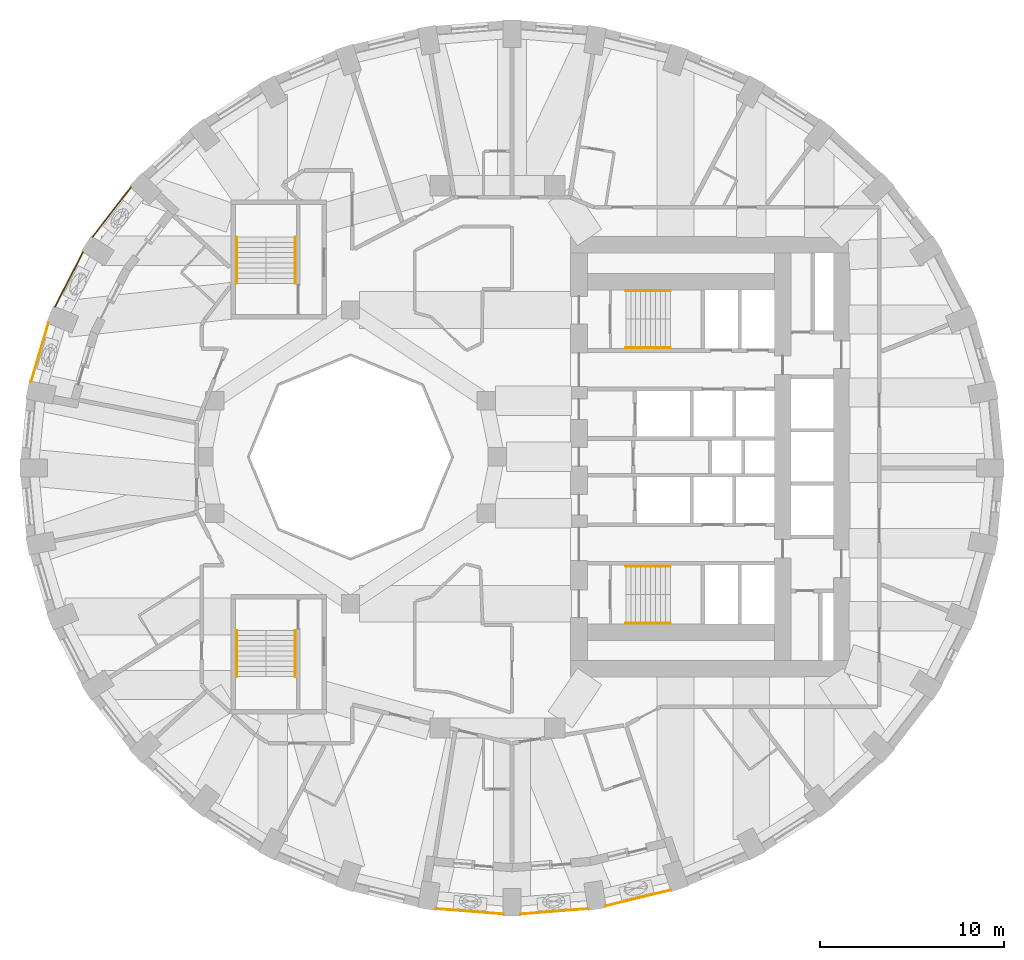
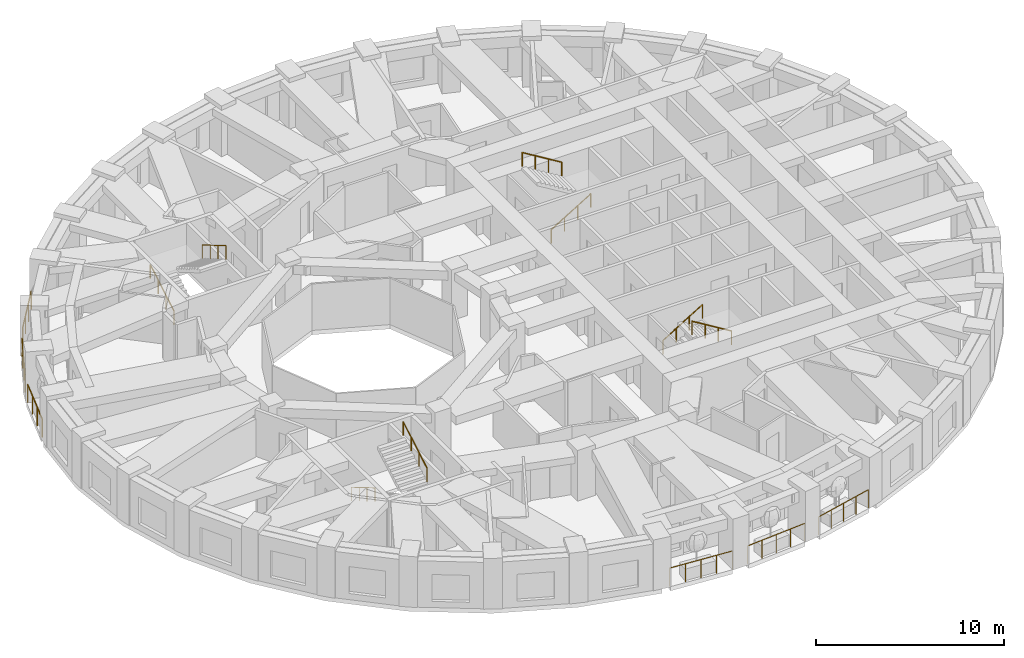
# One storey, part 11 of 13: 14 railings.
"""IFC4 building model written with IfcOpenShell, lengths in metres."""

from ifc_helpers import new_model, si_unit, direction, frame, origin, origin_2d, place, context, subcontext, project, spatial, circle, extrude, material, type_object, element, save


model = new_model("IFC4")

# Units and contexts
model_context = context("Model", 3, precision=1e-05, world=origin(), true_north=direction((0.0, 1.0)))
body_context = subcontext(model_context, "Body", "Model", "MODEL_VIEW")
ifc_project = project(units=[si_unit("LENGTHUNIT", "METRE"), si_unit("AREAUNIT", "SQUARE_METRE"), si_unit("VOLUMEUNIT", "CUBIC_METRE"), si_unit("PLANEANGLEUNIT", "RADIAN"), si_unit("MASSUNIT", "GRAM", prefix="KILO")], contexts=[model_context])

# Site, building, storey
site_placement = place(None, origin())
site = spatial("IfcSite", under=ifc_project, at=site_placement, CompositionType="ELEMENT")
building_placement = place(site_placement, origin())
building = spatial("IfcBuilding", under=site, at=building_placement, Name="Taillehof Tower", CompositionType="ELEMENT")
storey_placement = place(building_placement, frame((0.0, 0.0, 115.300048828125)))
storey = spatial("IfcBuildingStorey", under=building, at=storey_placement, Name="L32", CompositionType="ELEMENT", Elevation=115.300048828125)

# Railings
ifc_material_1 = material(Name="Stainless steel balustrade", Category="steel")
railing_type_1 = type_object("IfcRailingType", Name="Balcony guard 1200", PredefinedType="GUARDRAIL", material=ifc_material_1)
railing_1_placement = place(storey_placement, frame((-19.95703125, 14.687744140625, 0.0)))
element("IfcRailing", 1, at=railing_1_placement, inside=storey, type_object=railing_type_1, Name="Balcony guard L32 bay 15", PredefinedType="GUARDRAIL", context=body_context, shape_type="SweptSolid", body=[
    extrude(circle(Radius=0.02392578125, at=origin_2d()), frame((0.0, 0.0, 1.17578125), z_axis=(-0.6106578582, -0.791894551199, 0.0), x_axis=(0.791894551199, -0.6106578582, 0.0)), (0.0, 0.0, 1.0), 3.42431640625),
    extrude(circle(Radius=0.02099609375, at=origin_2d()), origin(), (0.0, 0.0, 1.0), 1.15185546875),
    extrude(circle(Radius=0.02099609375, at=origin_2d()), frame((-0.697021484375, -0.90380859375, 0.0)), (0.0, 0.0, 1.0), 1.15185546875),
    extrude(circle(Radius=0.02099609375, at=origin_2d()), frame((-1.39404296875, -1.807861328125, 0.0)), (0.0, 0.0, 1.0), 1.15185546875),
    extrude(circle(Radius=0.02099609375, at=origin_2d()), frame((-2.091064453125, -2.711669921875, 0.0)), (0.0, 0.0, 1.0), 1.15185546875),
])
railing_2_placement = place(storey_placement, frame((-22.562744140625, 11.16552734375, 0.0)))
element("IfcRailing", 2, at=railing_2_placement, inside=storey, type_object=railing_type_1, Name="Balcony guard L32 bay 16", PredefinedType="GUARDRAIL", context=body_context, shape_type="SweptSolid", body=[
    extrude(circle(Radius=0.02392578125, at=origin_2d()), frame((0.0, 0.0, 1.17578125), z_axis=(-0.456827973353, -0.88955505887, 0.0), x_axis=(0.88955505887, -0.456827973353, 0.0)), (0.0, 0.0, 1.0), 3.363037109375),
    extrude(circle(Radius=0.02099609375, at=origin_2d()), origin(), (0.0, 0.0, 1.0), 1.15185546875),
    extrude(circle(Radius=0.02099609375, at=origin_2d()), frame((-0.51220703125, -0.997314453125, 0.0)), (0.0, 0.0, 1.0), 1.15185546875),
    extrude(circle(Radius=0.02099609375, at=origin_2d()), frame((-1.024169921875, -1.994384765625, 0.0)), (0.0, 0.0, 1.0), 1.15185546875),
    extrude(circle(Radius=0.02099609375, at=origin_2d()), frame((-1.536376953125, -2.99169921875, 0.0)), (0.0, 0.0, 1.0), 1.15185546875),
])
railing_3_placement = place(storey_placement, frame((-24.455810546875, 7.2822265625, 0.0)))
element("IfcRailing", 3, at=railing_3_placement, inside=storey, type_object=railing_type_1, Name="Balcony guard L32 bay 17", PredefinedType="GUARDRAIL", context=body_context, shape_type="SweptSolid", body=[
    extrude(circle(Radius=0.02392578125, at=origin_2d()), frame((0.0, 0.0, 1.17578125), z_axis=(-0.283050764058, -0.95910492907, 0.0), x_axis=(0.95910492907, -0.283050764058, 0.0)), (0.0, 0.0, 1.0), 3.3173828125),
    extrude(circle(Radius=0.02099609375, at=origin_2d()), origin(), (0.0, 0.0, 1.0), 1.15185546875),
    extrude(circle(Radius=0.02099609375, at=origin_2d()), frame((-0.31298828125, -1.060546875, 0.0)), (0.0, 0.0, 1.0), 1.15185546875),
    extrude(circle(Radius=0.02099609375, at=origin_2d()), frame((-0.6259765625, -2.12109375, 0.0)), (0.0, 0.0, 1.0), 1.15185546875),
    extrude(circle(Radius=0.02099609375, at=origin_2d()), frame((-0.93896484375, -3.181640625, 0.0)), (0.0, 0.0, 1.0), 1.15185546875),
])
railing_4_placement = place(storey_placement, frame((-3.352783203125, -24.60986328125, 0.0)))
element("IfcRailing", 4, at=railing_4_placement, inside=storey, type_object=railing_type_1, Name="Balcony guard L32 bay 27", PredefinedType="GUARDRAIL", context=body_context, shape_type="SweptSolid", body=[
    extrude(circle(Radius=0.02392578125, at=origin_2d()), frame((0.0, 0.0, 1.17578125), z_axis=(0.996859582788, -0.079189470281, 0.0), x_axis=(0.079189470281, 0.996859582788, 0.0)), (0.0, 0.0, 1.0), 3.68408203125),
    extrude(circle(Radius=0.02099609375, at=origin_2d()), origin(), (0.0, 0.0, 1.0), 1.15185546875),
    extrude(circle(Radius=0.02099609375, at=origin_2d()), frame((0.918212890625, -0.072998046875, 0.0)), (0.0, 0.0, 1.0), 1.15185546875),
    extrude(circle(Radius=0.02099609375, at=origin_2d()), frame((1.83642578125, -0.14599609375, 0.0)), (0.0, 0.0, 1.0), 1.15185546875),
    extrude(circle(Radius=0.02099609375, at=origin_2d()), frame((2.75439453125, -0.21875, 0.0)), (0.0, 0.0, 1.0), 1.15185546875),
    extrude(circle(Radius=0.02099609375, at=origin_2d()), frame((3.672607421875, -0.291748046875, 0.0)), (0.0, 0.0, 1.0), 1.15185546875),
])
railing_5_placement = place(storey_placement, frame((1.280029296875, -24.901611328125, 0.0)))
element("IfcRailing", 5, at=railing_5_placement, inside=storey, type_object=railing_type_1, Name="Balcony guard L32 bay 28", PredefinedType="GUARDRAIL", context=body_context, shape_type="SweptSolid", body=[
    extrude(circle(Radius=0.02392578125, at=origin_2d()), frame((0.0, 0.0, 1.17578125), z_axis=(0.996859998308, 0.07918423943, 0.0), x_axis=(-0.07918423943, 0.996859998308, 0.0)), (0.0, 0.0, 1.0), 3.684326171875),
    extrude(circle(Radius=0.02099609375, at=origin_2d()), origin(), (0.0, 0.0, 1.0), 1.15185546875),
    extrude(circle(Radius=0.02099609375, at=origin_2d()), frame((0.918212890625, 0.072998046875, 0.0)), (0.0, 0.0, 1.0), 1.15185546875),
    extrude(circle(Radius=0.02099609375, at=origin_2d()), frame((1.83642578125, 0.14599609375, 0.0)), (0.0, 0.0, 1.0), 1.15185546875),
    extrude(circle(Radius=0.02099609375, at=origin_2d()), frame((2.754638671875, 0.21875, 0.0)), (0.0, 0.0, 1.0), 1.15185546875),
    extrude(circle(Radius=0.02099609375, at=origin_2d()), frame((3.6728515625, 0.291748046875, 0.0)), (0.0, 0.0, 1.0), 1.15185546875),
])
railing_6_placement = place(storey_placement, frame((5.90087890625, -24.4580078125, 0.0)))
element("IfcRailing", 6, at=railing_6_placement, inside=storey, type_object=railing_type_1, Name="Balcony guard L32 bay 29", PredefinedType="GUARDRAIL", context=body_context, shape_type="SweptSolid", body=[
    extrude(circle(Radius=0.02392578125, at=origin_2d()), frame((0.0, 0.0, 1.17578125), z_axis=(0.971645249883, 0.236443457047, 0.0), x_axis=(-0.236443457047, 0.971645249883, 0.0)), (0.0, 0.0, 1.0), 3.661376953125),
    extrude(circle(Radius=0.02099609375, at=origin_2d()), origin(), (0.0, 0.0, 1.0), 1.15185546875),
    extrude(circle(Radius=0.02099609375, at=origin_2d()), frame((0.889404296875, 0.21630859375, 0.0)), (0.0, 0.0, 1.0), 1.15185546875),
    extrude(circle(Radius=0.02099609375, at=origin_2d()), frame((1.77880859375, 0.432861328125, 0.0)), (0.0, 0.0, 1.0), 1.15185546875),
    extrude(circle(Radius=0.02099609375, at=origin_2d()), frame((2.668212890625, 0.6494140625, 0.0)), (0.0, 0.0, 1.0), 1.15185546875),
    extrude(circle(Radius=0.02099609375, at=origin_2d()), frame((3.5576171875, 0.86572265625, 0.0)), (0.0, 0.0, 1.0), 1.15185546875),
])
ifc_material_2 = material(Name="Stainless steel", Category="steel")
railing_type_2 = type_object("IfcRailingType", Name="Stair handrail 900", PredefinedType="HANDRAIL", material=ifc_material_2)
railing_7_placement = place(storey_placement, frame((7.0, 5.949951171875, 0.1650390625)))
element("IfcRailing", 7, at=railing_7_placement, inside=storey, type_object=railing_type_2, Name="Stair S1 handrail", PredefinedType="HANDRAIL", context=body_context, shape_type="SweptSolid", body=[
    extrude(circle(Radius=0.02392578125, at=origin_2d()), frame((0.0, 0.0, 0.8759765625), z_axis=(0.853296667938, 0.0, 0.521425734392), x_axis=(0.0, 1.0, 0.0)), (0.0, 0.0, 1.0), 2.84765625),
    extrude(circle(Radius=0.02099609375, at=origin_2d()), origin(), (0.0, 0.0, 1.0), 0.851806640625),
    extrude(circle(Radius=0.02099609375, at=origin_2d()), frame((0.81005859375, 0.0, 0.494873046875)), (0.0, 0.0, 1.0), 0.851806640625),
    extrude(circle(Radius=0.02099609375, at=origin_2d()), frame((1.619873046875, 0.0, 0.989990234375)), (0.0, 0.0, 1.0), 0.851806640625),
    extrude(circle(Radius=0.02099609375, at=origin_2d()), frame((2.429931640625, 0.0, 1.48486328125)), (0.0, 0.0, 1.0), 0.851806640625),
])
railing_8_placement = place(storey_placement, frame((9.429931640625, 9.050048828125, 1.81494140625)))
element("IfcRailing", 8, at=railing_8_placement, inside=storey, type_object=railing_type_2, Name="Stair S1 handrail", PredefinedType="HANDRAIL", context=body_context, shape_type="SweptSolid", body=[
    extrude(circle(Radius=0.02392578125, at=origin_2d()), frame((0.0, 0.0, 0.8759765625), z_axis=(-0.853258522278, 0.0, 0.521488153423), x_axis=(0.0, -1.0, 0.0)), (0.0, 0.0, 1.0), 2.847900390625),
    extrude(circle(Radius=0.02099609375, at=origin_2d()), origin(), (0.0, 0.0, 1.0), 0.851806640625),
    extrude(circle(Radius=0.02099609375, at=origin_2d()), frame((-0.81005859375, 0.0, 0.4951171875)), (0.0, 0.0, 1.0), 0.851806640625),
    extrude(circle(Radius=0.02099609375, at=origin_2d()), frame((-1.619873046875, 0.0, 0.989990234375)), (0.0, 0.0, 1.0), 0.851806640625),
    extrude(circle(Radius=0.02099609375, at=origin_2d()), frame((-2.429931640625, 0.0, 1.485107421875)), (0.0, 0.0, 1.0), 0.851806640625),
])
railing_9_placement = place(storey_placement, frame((7.0, -5.949951171875, 0.1650390625)))
element("IfcRailing", 9, at=railing_9_placement, inside=storey, type_object=railing_type_2, Name="Stair S2 handrail", PredefinedType="HANDRAIL", context=body_context, shape_type="SweptSolid", body=[
    extrude(circle(Radius=0.02392578125, at=origin_2d()), frame((0.0, 0.0, 0.8759765625), z_axis=(0.853296667938, 0.0, 0.521425734392), x_axis=(0.0, 1.0, 0.0)), (0.0, 0.0, 1.0), 2.84765625),
    extrude(circle(Radius=0.02099609375, at=origin_2d()), origin(), (0.0, 0.0, 1.0), 0.851806640625),
    extrude(circle(Radius=0.02099609375, at=origin_2d()), frame((0.81005859375, 0.0, 0.494873046875)), (0.0, 0.0, 1.0), 0.851806640625),
    extrude(circle(Radius=0.02099609375, at=origin_2d()), frame((1.619873046875, 0.0, 0.989990234375)), (0.0, 0.0, 1.0), 0.851806640625),
    extrude(circle(Radius=0.02099609375, at=origin_2d()), frame((2.429931640625, 0.0, 1.48486328125)), (0.0, 0.0, 1.0), 0.851806640625),
])
railing_10_placement = place(storey_placement, frame((9.429931640625, -9.050048828125, 1.81494140625)))
element("IfcRailing", 10, at=railing_10_placement, inside=storey, type_object=railing_type_2, Name="Stair S2 handrail", PredefinedType="HANDRAIL", context=body_context, shape_type="SweptSolid", body=[
    extrude(circle(Radius=0.02392578125, at=origin_2d()), frame((0.0, 0.0, 0.8759765625), z_axis=(-0.853258522278, 0.0, 0.521488153423), x_axis=(0.0, -1.0, 0.0)), (0.0, 0.0, 1.0), 2.847900390625),
    extrude(circle(Radius=0.02099609375, at=origin_2d()), origin(), (0.0, 0.0, 1.0), 0.851806640625),
    extrude(circle(Radius=0.02099609375, at=origin_2d()), frame((-0.81005859375, 0.0, 0.4951171875)), (0.0, 0.0, 1.0), 0.851806640625),
    extrude(circle(Radius=0.02099609375, at=origin_2d()), frame((-1.619873046875, 0.0, 0.989990234375)), (0.0, 0.0, 1.0), 0.851806640625),
    extrude(circle(Radius=0.02099609375, at=origin_2d()), frame((-2.429931640625, 0.0, 1.485107421875)), (0.0, 0.0, 1.0), 0.851806640625),
])
railing_11_placement = place(storey_placement, frame((-14.199951171875, 9.449951171875, 0.1650390625)))
element("IfcRailing", 11, at=railing_11_placement, inside=storey, type_object=railing_type_2, Name="Stair S3 handrail", PredefinedType="HANDRAIL", context=body_context, shape_type="SweptSolid", body=[
    extrude(circle(Radius=0.02392578125, at=origin_2d()), frame((0.0, 0.0, 0.8759765625), z_axis=(0.0, 0.861560626758, 0.507654692109), x_axis=(-1.0, 0.0, 0.0)), (0.0, 0.0, 1.0), 2.925048828125),
    extrude(circle(Radius=0.02099609375, at=origin_2d()), origin(), (0.0, 0.0, 1.0), 0.851806640625),
    extrude(circle(Radius=0.02099609375, at=origin_2d()), frame((0.0, 0.840087890625, 0.494873046875)), (0.0, 0.0, 1.0), 0.851806640625),
    extrude(circle(Radius=0.02099609375, at=origin_2d()), frame((0.0, 1.679931640625, 0.989990234375)), (0.0, 0.0, 1.0), 0.851806640625),
    extrude(circle(Radius=0.02099609375, at=origin_2d()), frame((0.0, 2.52001953125, 1.48486328125)), (0.0, 0.0, 1.0), 0.851806640625),
])
railing_12_placement = place(storey_placement, frame((-11.0, 11.969970703125, 1.81494140625)))
element("IfcRailing", 12, at=railing_12_placement, inside=storey, type_object=railing_type_2, Name="Stair S3 handrail", PredefinedType="HANDRAIL", context=body_context, shape_type="SweptSolid", body=[
    extrude(circle(Radius=0.02392578125, at=origin_2d()), frame((0.0, 0.0, 0.8759765625), z_axis=(0.0, -0.86152411907, 0.507716645641), x_axis=(1.0, 0.0, 0.0)), (0.0, 0.0, 1.0), 2.925048828125),
    extrude(circle(Radius=0.02099609375, at=origin_2d()), origin(), (0.0, 0.0, 1.0), 0.851806640625),
    extrude(circle(Radius=0.02099609375, at=origin_2d()), frame((0.0, -0.840087890625, 0.4951171875)), (0.0, 0.0, 1.0), 0.851806640625),
    extrude(circle(Radius=0.02099609375, at=origin_2d()), frame((0.0, -1.679931640625, 0.989990234375)), (0.0, 0.0, 1.0), 0.851806640625),
    extrude(circle(Radius=0.02099609375, at=origin_2d()), frame((0.0, -2.52001953125, 1.485107421875)), (0.0, 0.0, 1.0), 0.851806640625),
])
railing_13_placement = place(storey_placement, frame((-14.199951171875, -9.449951171875, 0.1650390625)))
element("IfcRailing", 13, at=railing_13_placement, inside=storey, type_object=railing_type_2, Name="Stair S4 handrail", PredefinedType="HANDRAIL", context=body_context, shape_type="SweptSolid", body=[
    extrude(circle(Radius=0.02392578125, at=origin_2d()), frame((0.0, 0.0, 0.8759765625), z_axis=(0.0, -0.861560626758, 0.507654692109), x_axis=(1.0, 0.0, 0.0)), (0.0, 0.0, 1.0), 2.925048828125),
    extrude(circle(Radius=0.02099609375, at=origin_2d()), origin(), (0.0, 0.0, 1.0), 0.851806640625),
    extrude(circle(Radius=0.02099609375, at=origin_2d()), frame((0.0, -0.840087890625, 0.494873046875)), (0.0, 0.0, 1.0), 0.851806640625),
    extrude(circle(Radius=0.02099609375, at=origin_2d()), frame((0.0, -1.679931640625, 0.989990234375)), (0.0, 0.0, 1.0), 0.851806640625),
    extrude(circle(Radius=0.02099609375, at=origin_2d()), frame((0.0, -2.52001953125, 1.48486328125)), (0.0, 0.0, 1.0), 0.851806640625),
])
railing_14_placement = place(storey_placement, frame((-11.0, -11.969970703125, 1.81494140625)))
element("IfcRailing", 14, at=railing_14_placement, inside=storey, type_object=railing_type_2, Name="Stair S4 handrail", PredefinedType="HANDRAIL", context=body_context, shape_type="SweptSolid", body=[
    extrude(circle(Radius=0.02392578125, at=origin_2d()), frame((0.0, 0.0, 0.8759765625), z_axis=(0.0, 0.86152411907, 0.507716645641), x_axis=(-1.0, 0.0, 0.0)), (0.0, 0.0, 1.0), 2.925048828125),
    extrude(circle(Radius=0.02099609375, at=origin_2d()), origin(), (0.0, 0.0, 1.0), 0.851806640625),
    extrude(circle(Radius=0.02099609375, at=origin_2d()), frame((0.0, 0.840087890625, 0.4951171875)), (0.0, 0.0, 1.0), 0.851806640625),
    extrude(circle(Radius=0.02099609375, at=origin_2d()), frame((0.0, 1.679931640625, 0.989990234375)), (0.0, 0.0, 1.0), 0.851806640625),
    extrude(circle(Radius=0.02099609375, at=origin_2d()), frame((0.0, 2.52001953125, 1.485107421875)), (0.0, 0.0, 1.0), 0.851806640625),
])

save(model, "model.ifc")
